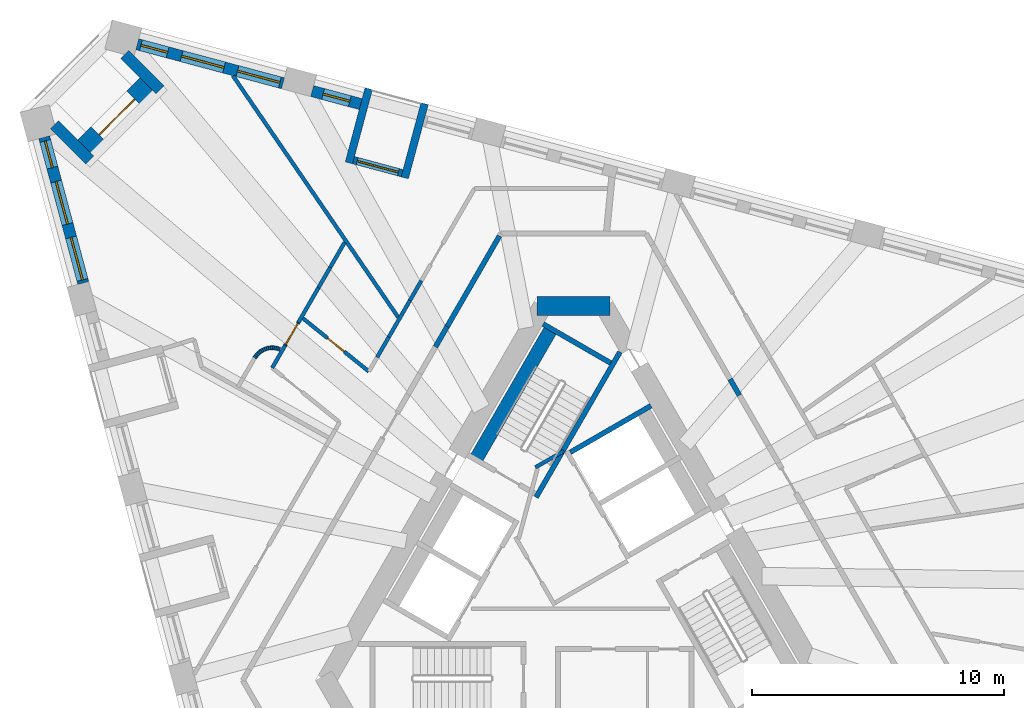
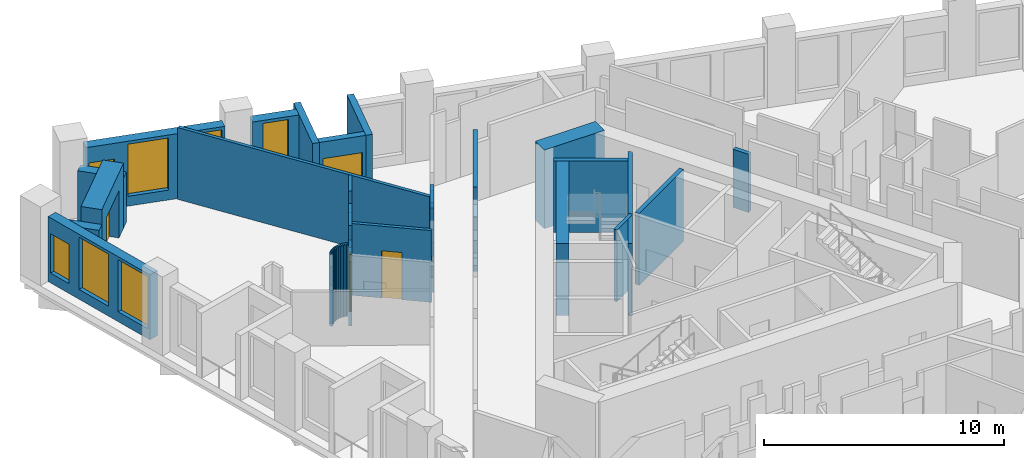
# One storey, part 7 of 13: 43 walls, 7 windows, 4 doors, 11 openings.
"""IFC4 building model written with IfcOpenShell, lengths in metres."""

import ifcopenshell
import ifcopenshell.guid

model = None  # the IFC model being written
_history = None  # IfcOwnerHistory: only IFC2X3 demands one
_inside = {}  # id of a spatial element -> (the spatial element, [elements in it])
_under = {}  # id of a project, library or spatial element -> (it, [spatial elements below it])
_declared = {}  # id of a project -> (the project, [libraries it declares])
_typed = {}  # id of a type object -> (the type object, [elements of that type])
_made_of = {}  # id of a material, layer set ... -> (it, [elements and type objects made of it])


def new_model(schema):
    """Start an empty IFC model of exactly this schema.

    Asked for "IFC4X3", IfcOpenShell would pick the latest addendum, in which some entities
    have other attributes; the version numbers below select the first issue.
    IFC2X3 requires an IfcOwnerHistory on every rooted entity: one is made here for all.
    """
    global model, _history
    if schema == "IFC4X3":
        model = ifcopenshell.file(schema_version=(4, 3, 0, 0))
    else:
        model = ifcopenshell.file(schema=schema)
    _inside.clear()
    _under.clear()
    _declared.clear()
    _typed.clear()
    _made_of.clear()
    _history = None
    if model.schema == "IFC2X3":
        org = make("IfcOrganization", Name="unknown")
        user = make(
            "IfcPersonAndOrganization",
            ThePerson=make("IfcPerson", FamilyName="unknown"),
            TheOrganization=org,
        )
        app = make(
            "IfcApplication",
            ApplicationDeveloper=org,
            Version="unknown",
            ApplicationFullName="unknown",
            ApplicationIdentifier="unknown",
        )
        _history = make(
            "IfcOwnerHistory",
            OwningUser=user,
            OwningApplication=app,
            ChangeAction="ADDED",
            CreationDate=0,
        )
    return model


def make(cls, **values):
    """One entity of the class cls with the attributes given. An attribute that is None is left unset."""
    return model.create_entity(
        cls, **{name: value for name, value in values.items() if value is not None}
    )


def rooted(cls, **values):
    """An entity with a GlobalId (a new one), such as an element, a storey or a relation."""
    return make(cls, GlobalId=ifcopenshell.guid.new(), OwnerHistory=_history, **values)


def si_unit(unit_type, name, prefix=None):
    """IfcSIUnit, for example si_unit("LENGTHUNIT", "METRE", prefix="MILLI")."""
    return make("IfcSIUnit", UnitType=unit_type, Prefix=prefix, Name=name)


def assignment(units):
    """IfcUnitAssignment: the units of a project."""
    return None if units is None else make("IfcUnitAssignment", Units=units)


def point(xyz):
    """IfcCartesianPoint."""
    return None if xyz is None else make("IfcCartesianPoint", Coordinates=xyz)


def direction(xyz):
    """IfcDirection."""
    return None if xyz is None else make("IfcDirection", DirectionRatios=xyz)


def frame(location, z_axis=None, x_axis=None):
    """IfcAxis2Placement3D, a coordinate frame: its origin and axes. An axis left out is left unset."""
    return make(
        "IfcAxis2Placement3D",
        Location=point(location),
        Axis=direction(z_axis),
        RefDirection=direction(x_axis),
    )


def frame_2d(location, x_axis=None):
    """IfcAxis2Placement2D, a coordinate frame in the plane: its origin and x axis."""
    return make(
        "IfcAxis2Placement2D", Location=point(location), RefDirection=direction(x_axis)
    )


def origin():
    """The frame at (0, 0, 0) with its axes left unset."""
    return frame((0.0, 0.0, 0.0))


def place(relative_to, where):
    """IfcLocalPlacement: puts the frame where relative to a parent placement (None: the world)."""
    return make(
        "IfcLocalPlacement", PlacementRelTo=relative_to, RelativePlacement=where
    )


def context(
    kind, dimensions, precision=None, world=None, true_north=None, identifier=None
):
    """IfcGeometricRepresentationContext, for example the 3D "Model" context."""
    return make(
        "IfcGeometricRepresentationContext",
        ContextIdentifier=identifier,
        ContextType=kind,
        CoordinateSpaceDimension=dimensions,
        Precision=precision,
        WorldCoordinateSystem=world,
        TrueNorth=true_north,
    )


def subcontext(parent, identifier, kind, view, scale=None):
    """IfcGeometricRepresentationSubContext, for example "Body" below "Model"."""
    return make(
        "IfcGeometricRepresentationSubContext",
        ContextIdentifier=identifier,
        ContextType=kind,
        ParentContext=parent,
        TargetScale=scale,
        TargetView=view,
    )


def project(units=None, contexts=None):
    """IfcProject with its units and contexts."""
    return rooted(
        "IfcProject",
        Name="project",
        RepresentationContexts=contexts,
        UnitsInContext=assignment(units),
    )


def spatial(cls, under=None, at=None, **own):
    """A site, building, storey or space (cls), placed at a placement, below another one or the project."""
    s = rooted(cls, ObjectPlacement=at, **own)
    if under is not None:
        _under.setdefault(under.id(), (under, []))[1].append(s)
    return s


def profile(cls, at=None, kind="AREA", **sizes):
    """A parametric profile (cls). Its sizes go by their IFC names, for example OverallWidth=200.0."""
    return make(cls, ProfileType=kind, Position=at, **sizes)


def rectangle(**sizes):
    """IfcRectangleProfileDef."""
    return profile("IfcRectangleProfileDef", **sizes)


def extrude(swept, where, along, depth):
    """IfcExtrudedAreaSolid: the profile swept, set in the frame where, extruded along a direction by depth."""
    return make(
        "IfcExtrudedAreaSolid",
        SweptArea=swept,
        Position=where,
        ExtrudedDirection=direction(along),
        Depth=depth,
    )


def shape(context_of_items, identifier, shape_type, items):
    """IfcShapeRepresentation: the items that make up one representation, for example the "Body"."""
    return make(
        "IfcShapeRepresentation",
        ContextOfItems=context_of_items,
        RepresentationIdentifier=identifier,
        RepresentationType=shape_type,
        Items=items,
    )


def material(Name=None, Category=None):
    """IfcMaterial."""
    return make("IfcMaterial", Name=Name, Category=Category)


def layer(
    of_material, thickness, ventilated=None, Name=None, Category=None, Priority=None
):
    """IfcMaterialLayer: one layer of a wall or slab, of a material (None: an air gap)."""
    return make(
        "IfcMaterialLayer",
        Material=of_material,
        LayerThickness=thickness,
        IsVentilated=ventilated,
        Name=Name,
        Category=Category,
        Priority=Priority,
    )


def layer_set(layers, Name=None):
    """IfcMaterialLayerSet."""
    return make("IfcMaterialLayerSet", MaterialLayers=layers, LayerSetName=Name)


def made_of(thing, what):
    """Note that an element or type object is made of a material, layer set ...; save() writes the relation."""
    if what is not None:
        _made_of.setdefault(what.id(), (what, []))[1].append(thing)
    return thing


def type_object(cls, material=None, **own):
    """A type object (cls), such as IfcWallType, which elements share."""
    return made_of(rooted(cls, **own), material)


def element(
    cls,
    number,
    at=None,
    inside=None,
    cuts=None,
    type_object=None,
    material=None,
    context=None,
    identifier="Body",
    shape_type=None,
    held_by="IfcProductDefinitionShape",
    body=None,
    shapes=None,
    **own,
):
    """One element of the class cls, such as IfcWall. Its Tag is "e" and its number.

    at: its placement. inside: the storey or other place that contains it. cuts: it is an
    opening in that element (IfcRelVoidsElement). A single representation is given by context,
    identifier, shape_type and body (its items); several are given by shapes. held_by: the class
    of the entity that holds the representations. save() writes the other relations.
    """
    e = rooted(cls, Tag="e%d" % number, ObjectPlacement=at, **own)
    if body is not None:
        shapes = [shape(context, identifier, shape_type, body)]
    if shapes is not None:
        e.Representation = make(held_by, Representations=shapes)
    if inside is not None:
        _inside.setdefault(inside.id(), (inside, []))[1].append(e)
    if cuts is not None:
        rooted(
            "IfcRelVoidsElement", RelatingBuildingElement=cuts, RelatedOpeningElement=e
        )
    if type_object is not None:
        _typed.setdefault(type_object.id(), (type_object, []))[1].append(e)
    return made_of(e, material)


def fill(opening, filler):
    """IfcRelFillsElement: the door or window that sits in an opening."""
    return rooted(
        "IfcRelFillsElement",
        RelatingOpeningElement=opening,
        RelatedBuildingElement=filler,
    )


def aggregate(whole, parts):
    """IfcRelAggregates: a whole, such as a stair, and the parts it consists of."""
    return rooted("IfcRelAggregates", RelatingObject=whole, RelatedObjects=parts)


def save(model, path):
    """Write the relations noted so far, then the file.

    IfcRelAggregates (storeys below a building ...), IfcRelContainedInSpatialStructure (elements
    in a storey), IfcRelDefinesByType, IfcRelAssociatesMaterial and IfcRelDeclares: one each for
    every whole, place, type object, material and project.
    """
    for whole, parts in _under.values():
        aggregate(whole, parts)
    for where, things in _inside.values():
        rooted(
            "IfcRelContainedInSpatialStructure",
            RelatedElements=things,
            RelatingStructure=where,
        )
    for kind, things in _typed.values():
        rooted("IfcRelDefinesByType", RelatedObjects=things, RelatingType=kind)
    for what, things in _made_of.values():
        rooted("IfcRelAssociatesMaterial", RelatedObjects=things, RelatingMaterial=what)
    for by, libraries in _declared.values():
        rooted("IfcRelDeclares", RelatingContext=by, RelatedDefinitions=libraries)
    model.write(path)


model = new_model("IFC4")

# Units and contexts
model_context = context("Model", 3, precision=1e-05, world=origin(), true_north=direction((0.0, 1.0)))
body_context = subcontext(model_context, "Body", "Model", "MODEL_VIEW")
ifc_project = project(units=[si_unit("LENGTHUNIT", "METRE"), si_unit("AREAUNIT", "SQUARE_METRE"), si_unit("VOLUMEUNIT", "CUBIC_METRE"), si_unit("PLANEANGLEUNIT", "RADIAN"), si_unit("MASSUNIT", "GRAM", prefix="KILO")], contexts=[model_context])

# Site, building, storey
site_placement = place(None, origin())
site = spatial("IfcSite", under=ifc_project, at=site_placement, CompositionType="ELEMENT")
building_placement = place(site_placement, origin())
building = spatial("IfcBuilding", under=site, at=building_placement, Name="Tramontana Tower", CompositionType="ELEMENT")
storey_placement = place(building_placement, frame((0.0, 0.0, 212.0)))
storey = spatial("IfcBuildingStorey", under=building, at=storey_placement, Name="L49", CompositionType="ELEMENT", Elevation=212.0)

# Walls
ifc_material_1 = material(Name="Concrete 70 MPa", Category="concrete")
ifc_layer_1 = layer(ifc_material_1, 0.75)
ifc_layer_set_1 = layer_set([ifc_layer_1], Name="Core wall 750 70 MPa")
wall_type_1 = type_object("IfcWallType", Name="Core wall 750 70 MPa", PredefinedType="SHEAR", material=ifc_layer_set_1)
wall_1_placement = place(storey_placement, frame((1.443359375, 10.625, 0.0), z_axis=(0.0, 0.0, 1.0), x_axis=(-1.0, 0.0, 0.0)))
element("IfcWall", 1, at=wall_1_placement, inside=storey, type_object=wall_type_1, Name="Core wall C0 L49", PredefinedType="SHEAR", context=body_context, shape_type="SweptSolid", body=[
    extrude(rectangle(XDim=2.88671875, YDim=0.75, at=frame_2d((1.443359375, 0.0))), origin(), (0.0, 0.0, 1.0), 4.0),
])
ifc_material_2 = material(Name="Blockwork", Category="masonry")
ifc_layer_2 = layer(ifc_material_2, 0.199951171875)
ifc_layer_set_2 = layer_set([ifc_layer_2], Name="ENTRY WALL 200")
wall_type_2 = type_object("IfcWallType", Name="ENTRY WALL 200", PredefinedType="SOLIDWALL", material=ifc_layer_set_2)
wall_2_placement = place(storey_placement, frame((6.22412109375, 7.719482421875, 0.0), z_axis=(0.0, 0.0, 1.0), x_axis=(0.499931655587, -0.866064858854, 0.0)))
element("IfcWall", 2, at=wall_2_placement, inside=storey, type_object=wall_type_2, Name="Wall v51-ew0-3", PredefinedType="SOLIDWALL", context=body_context, shape_type="SweptSolid", body=[
    extrude(rectangle(XDim=0.74072265625, YDim=0.199951171875, at=frame_2d((0.370361328125, 0.0))), origin(), (0.0, 0.0, 1.0), 2.949951171875),
])
wall_3_placement = place(storey_placement, frame((-5.482666015625, 9.003662109375, 0.0), z_axis=(0.0, 0.0, 1.0), x_axis=(0.499971966783, 0.866041588165, 0.0)))
element("IfcWall", 3, at=wall_3_placement, inside=storey, type_object=wall_type_2, Name="Wall v51-ew4-11", PredefinedType="SOLIDWALL", context=body_context, shape_type="SweptSolid", body=[
    extrude(rectangle(XDim=0.931640625, YDim=0.199951171875, at=frame_2d((0.4658203125, 0.0))), origin(), (0.0, 0.0, 1.0), 2.75),
])
wall_4_placement = place(storey_placement, frame((-5.016845703125, 9.810546875, 0.0), z_axis=(0.0, 0.0, 1.0), x_axis=(0.499993700073, 0.866029041019, 0.0)))
element("IfcWall", 4, at=wall_4_placement, inside=storey, type_object=wall_type_2, Name="Wall v51-ew4-12", PredefinedType="SOLIDWALL", context=body_context, shape_type="SweptSolid", body=[
    extrude(rectangle(XDim=4.1552734375, YDim=0.199951171875, at=frame_2d((2.07763671875, 0.0))), origin(), (0.0, 0.0, 1.0), 3.64990234375),
])

# Wall, openings, windows
ifc_material_3 = material(Name="Precast concrete 60 MPa", Category="concrete")
ifc_layer_3 = layer(ifc_material_3, 0.449951171875)
ifc_layer_set_3 = layer_set([ifc_layer_3], Name="Precast concrete 60 MPa, 450 mm")
wall_type_3 = type_object("IfcWallType", Name="EW1 Stone-faced precast wall 450", PredefinedType="SOLIDWALL", material=ifc_layer_set_3)
wall_5_placement = place(storey_placement, frame((-21.027099609375, 17.3310546875, 0.0), z_axis=(0.0, 0.0, 1.0), x_axis=(0.258831089404, -0.965922598948, 0.0)))
wall_5 = element("IfcWall", 5, at=wall_5_placement, inside=storey, type_object=wall_type_3, Name="External wall L49 face 0 bay 1", PredefinedType="SOLIDWALL", context=body_context, shape_type="SweptSolid", body=[
    extrude(rectangle(XDim=5.994384765625, YDim=0.449951171875, at=frame_2d((2.9970703125, 0.0))), origin(), (0.0, 0.0, 1.0), 3.300048828125),
])
opening_1_placement = place(wall_5_placement, frame((0.14892578125, 0.0, 0.5)))
opening_1 = element("IfcOpeningElement", 6, at=opening_1_placement, cuts=wall_5, Name="Opening N2L", PredefinedType="OPENING", context=body_context, shape_type="SweptSolid", body=[
    extrude(rectangle(XDim=1.10009765625, YDim=2.0, at=frame_2d((0.550048828125, 1.0))), frame((0.0, 0.23486328125, 0.0), z_axis=(0.0, -1.0, 0.0), x_axis=(1.0, 0.0, 0.0)), (0.0, 0.0, 1.0), 0.469970703125),
])
opening_2_placement = place(wall_5_placement, frame((1.822021484375, 0.0, 0.5)))
opening_2 = element("IfcOpeningElement", 7, at=opening_2_placement, cuts=wall_5, Name="Opening M2", PredefinedType="OPENING", context=body_context, shape_type="SweptSolid", body=[
    extrude(rectangle(XDim=1.75, YDim=2.64990234375, at=frame_2d((0.875, 1.324951171875))), frame((0.0, 0.23486328125, 0.0), z_axis=(0.0, -1.0, 0.0), x_axis=(1.0, 0.0, 0.0)), (0.0, 0.0, 1.0), 0.469970703125),
])
opening_3_placement = place(wall_5_placement, frame((4.1201171875, 0.0, 0.5)))
opening_3 = element("IfcOpeningElement", 8, at=opening_3_placement, cuts=wall_5, Name="Opening M2", PredefinedType="OPENING", context=body_context, shape_type="SweptSolid", body=[
    extrude(rectangle(XDim=1.75, YDim=2.64990234375, at=frame_2d((0.875, 1.324951171875))), frame((0.0, 0.23486328125, 0.0), z_axis=(0.0, -1.0, 0.0), x_axis=(1.0, 0.0, 0.0)), (0.0, 0.0, 1.0), 0.469970703125),
])
ifc_material_4 = material(Name="Aluminum frame, double glazing unit", Category="aluminium")
window_type_1 = type_object("IfcWindowType", Name="M2 Window 1.75 x 2.65", PartitioningType="SINGLE_PANEL", PredefinedType="WINDOW", material=ifc_material_4)
window_1_placement = place(opening_2_placement, origin())
window_1 = element("IfcWindow", 9, at=window_1_placement, inside=storey, type_object=window_type_1, Name="Window M2 L49 face 0 module 2", OverallHeight=2.64990234375, OverallWidth=1.75, PartitioningType="SINGLE_PANEL", PredefinedType="WINDOW", context=body_context, shape_type="SweptSolid", body=[
    extrude(rectangle(XDim=1.75, YDim=2.64990234375, at=frame_2d((0.875, 1.324951171875))), frame((0.0, 0.030029296875, 0.0), z_axis=(0.0, -1.0, 0.0), x_axis=(1.0, 0.0, 0.0)), (0.0, 0.0, 1.0), 0.06005859375),
])
fill(opening_2, window_1)
window_2_placement = place(opening_3_placement, origin())
window_2 = element("IfcWindow", 10, at=window_2_placement, inside=storey, type_object=window_type_1, Name="Window M2 L49 face 0 module 3", OverallHeight=2.64990234375, OverallWidth=1.75, PartitioningType="SINGLE_PANEL", PredefinedType="WINDOW", context=body_context, shape_type="SweptSolid", body=[
    extrude(rectangle(XDim=1.75, YDim=2.64990234375, at=frame_2d((0.875, 1.324951171875))), frame((0.0, 0.030029296875, 0.0), z_axis=(0.0, -1.0, 0.0), x_axis=(1.0, 0.0, 0.0)), (0.0, 0.0, 1.0), 0.06005859375),
])
fill(opening_3, window_2)
ifc_material_5 = material(Name="Aluminum frame, double glazing unit", Category="aluminium")
window_type_2 = type_object("IfcWindowType", Name="N2L Window 1.1 x 2", PartitioningType="SINGLE_PANEL", PredefinedType="WINDOW", material=ifc_material_5)
window_3_placement = place(opening_1_placement, origin())
window_3 = element("IfcWindow", 11, at=window_3_placement, inside=storey, type_object=window_type_2, Name="Window N2L L49 face 0 module 1", OverallHeight=2.0, OverallWidth=1.10009765625, PartitioningType="SINGLE_PANEL", PredefinedType="WINDOW", context=body_context, shape_type="SweptSolid", body=[
    extrude(rectangle(XDim=1.10009765625, YDim=2.0, at=frame_2d((0.550048828125, 1.0))), frame((0.0, 0.030029296875, 0.0), z_axis=(0.0, -1.0, 0.0), x_axis=(1.0, 0.0, 0.0)), (0.0, 0.0, 1.0), 0.06005859375),
])
fill(opening_1, window_3)

# Wall, opening, window
wall_6_placement = place(storey_placement, frame((-8.451904296875, 18.64794921875, 0.0), z_axis=(0.0, 0.0, 1.0), x_axis=(-0.96593005298, 0.258803270362, 0.0)))
wall_6 = element("IfcWall", 12, at=wall_6_placement, inside=storey, type_object=wall_type_3, Name="External wall L49 face 2 bay 5", PredefinedType="SOLIDWALL", context=body_context, shape_type="SweptSolid", body=[
    extrude(rectangle(XDim=1.998046875, YDim=0.449951171875, at=frame_2d((0.9990234375, 0.0))), origin(), (0.0, 0.0, 1.0), 3.300048828125),
])
opening_4_placement = place(wall_6_placement, frame((0.448974609375, 0.0, 0.5)))
opening_4 = element("IfcOpeningElement", 13, at=opening_4_placement, cuts=wall_6, Name="Opening N2", PredefinedType="OPENING", context=body_context, shape_type="SweptSolid", body=[
    extrude(rectangle(XDim=1.10009765625, YDim=2.64990234375, at=frame_2d((0.550048828125, 1.324951171875))), frame((0.0, 0.23486328125, 0.0), z_axis=(0.0, -1.0, 0.0), x_axis=(1.0, 0.0, 0.0)), (0.0, 0.0, 1.0), 0.469970703125),
])
ifc_material_6 = material(Name="Aluminum frame, double glazing unit", Category="aluminium")
window_type_3 = type_object("IfcWindowType", Name="N2 Window 1.1 x 2.65", PartitioningType="SINGLE_PANEL", PredefinedType="WINDOW", material=ifc_material_6)
window_4_placement = place(opening_4_placement, origin())
window_4 = element("IfcWindow", 14, at=window_4_placement, inside=storey, type_object=window_type_3, Name="Window N2 L49 face 2 module 15", OverallHeight=2.64990234375, OverallWidth=1.10009765625, PartitioningType="SINGLE_PANEL", PredefinedType="WINDOW", context=body_context, shape_type="SweptSolid", body=[
    extrude(rectangle(XDim=1.10009765625, YDim=2.64990234375, at=frame_2d((0.550048828125, 1.324951171875))), frame((0.0, 0.030029296875, 0.0), z_axis=(0.0, -1.0, 0.0), x_axis=(1.0, 0.0, 0.0)), (0.0, 0.0, 1.0), 0.06005859375),
])
fill(opening_4, window_4)

# Wall, openings, windows
wall_7_placement = place(storey_placement, frame((-11.541015625, 19.4755859375, 0.0), z_axis=(0.0, 0.0, 1.0), x_axis=(-0.965922598948, 0.258831089404, 0.0)))
wall_7 = element("IfcWall", 15, at=wall_7_placement, inside=storey, type_object=wall_type_3, Name="External wall L49 face 2 bay 6", PredefinedType="SOLIDWALL", context=body_context, shape_type="SweptSolid", body=[
    extrude(rectangle(XDim=5.994384765625, YDim=0.449951171875, at=frame_2d((2.9970703125, 0.0))), origin(), (0.0, 0.0, 1.0), 3.300048828125),
])
opening_5_placement = place(wall_7_placement, frame((0.1240234375, 0.0, 0.5)))
opening_5 = element("IfcOpeningElement", 16, at=opening_5_placement, cuts=wall_7, Name="Opening M2", PredefinedType="OPENING", context=body_context, shape_type="SweptSolid", body=[
    extrude(rectangle(XDim=1.75, YDim=2.64990234375, at=frame_2d((0.875, 1.324951171875))), frame((0.0, 0.23486328125, 0.0), z_axis=(0.0, -1.0, 0.0), x_axis=(1.0, 0.0, 0.0)), (0.0, 0.0, 1.0), 0.469970703125),
])
opening_6_placement = place(wall_7_placement, frame((2.422119140625, 0.0, 0.5)))
opening_6 = element("IfcOpeningElement", 17, at=opening_6_placement, cuts=wall_7, Name="Opening M2", PredefinedType="OPENING", context=body_context, shape_type="SweptSolid", body=[
    extrude(rectangle(XDim=1.75, YDim=2.64990234375, at=frame_2d((0.875, 1.324951171875))), frame((0.0, 0.23486328125, 0.0), z_axis=(0.0, -1.0, 0.0), x_axis=(1.0, 0.0, 0.0)), (0.0, 0.0, 1.0), 0.469970703125),
])
opening_7_placement = place(wall_7_placement, frame((4.7451171875, 0.0, 0.5)))
opening_7 = element("IfcOpeningElement", 18, at=opening_7_placement, cuts=wall_7, Name="Opening N2L", PredefinedType="OPENING", context=body_context, shape_type="SweptSolid", body=[
    extrude(rectangle(XDim=1.10009765625, YDim=2.0, at=frame_2d((0.550048828125, 1.0))), frame((0.0, 0.23486328125, 0.0), z_axis=(0.0, -1.0, 0.0), x_axis=(1.0, 0.0, 0.0)), (0.0, 0.0, 1.0), 0.469970703125),
])
window_5_placement = place(opening_5_placement, origin())
window_5 = element("IfcWindow", 19, at=window_5_placement, inside=storey, type_object=window_type_1, Name="Window M2 L49 face 2 module 16", OverallHeight=2.64990234375, OverallWidth=1.75, PartitioningType="SINGLE_PANEL", PredefinedType="WINDOW", context=body_context, shape_type="SweptSolid", body=[
    extrude(rectangle(XDim=1.75, YDim=2.64990234375, at=frame_2d((0.875, 1.324951171875))), frame((0.0, 0.030029296875, 0.0), z_axis=(0.0, -1.0, 0.0), x_axis=(1.0, 0.0, 0.0)), (0.0, 0.0, 1.0), 0.06005859375),
])
fill(opening_5, window_5)
window_6_placement = place(opening_6_placement, origin())
window_6 = element("IfcWindow", 20, at=window_6_placement, inside=storey, type_object=window_type_1, Name="Window M2 L49 face 2 module 17", OverallHeight=2.64990234375, OverallWidth=1.75, PartitioningType="SINGLE_PANEL", PredefinedType="WINDOW", context=body_context, shape_type="SweptSolid", body=[
    extrude(rectangle(XDim=1.75, YDim=2.64990234375, at=frame_2d((0.875, 1.324951171875))), frame((0.0, 0.030029296875, 0.0), z_axis=(0.0, -1.0, 0.0), x_axis=(1.0, 0.0, 0.0)), (0.0, 0.0, 1.0), 0.06005859375),
])
fill(opening_6, window_6)
window_7_placement = place(opening_7_placement, origin())
window_7 = element("IfcWindow", 21, at=window_7_placement, inside=storey, type_object=window_type_2, Name="Window N2L L49 face 2 module 18", OverallHeight=2.0, OverallWidth=1.10009765625, PartitioningType="SINGLE_PANEL", PredefinedType="WINDOW", context=body_context, shape_type="SweptSolid", body=[
    extrude(rectangle(XDim=1.10009765625, YDim=2.0, at=frame_2d((0.550048828125, 1.0))), frame((0.0, 0.030029296875, 0.0), z_axis=(0.0, -1.0, 0.0), x_axis=(1.0, 0.0, 0.0)), (0.0, 0.0, 1.0), 0.06005859375),
])
fill(opening_7, window_7)

# Walls
for number, where, z_axis, x_axis, name in (
    (22, (-20.615234375, 17.822021484375, 0.0), (0.0, 0.0, 1.0), (0.70716845375, -0.707045103244, 0.0), "Corner loggia side wall L49 K50l"),
    (23, (-17.822021484375, 20.615234375, 0.0), (0.0, 0.0, 1.0), (0.707045103244, -0.70716845375, 0.0), "Corner loggia side wall L49 K50r"),
):
    element("IfcWall", number, at=place(storey_placement, frame(where, z_axis=z_axis, x_axis=x_axis)), inside=storey, type_object=wall_type_3, Name=name, PredefinedType="SOLIDWALL", context=body_context, shape_type="SweptSolid", body=[
        extrude(rectangle(XDim=1.979248046875, YDim=0.449951171875, at=frame_2d((0.98974609375, 0.0))), origin(), (0.0, 0.0, 1.0), 2.550048828125),
    ])

# Wall, opening, door
ifc_material_7 = material(Name="Precast concrete 60 MPa", Category="concrete")
ifc_layer_4 = layer(ifc_material_7, 0.89990234375)
ifc_layer_set_4 = layer_set([ifc_layer_4], Name="EW2 Stone-faced corner loggia wall 900")
wall_type_4 = type_object("IfcWallType", Name="EW2 Stone-faced corner loggia wall 900", PredefinedType="SOLIDWALL", material=ifc_layer_set_4)
wall_8_placement = place(storey_placement, frame((-19.374755859375, 16.89990234375, 0.0), z_axis=(0.0, 0.0, 1.0), x_axis=(0.707106781187, 0.707106781187, 0.0)))
wall_8 = element("IfcWall", 24, at=wall_8_placement, inside=storey, type_object=wall_type_4, Name="Corner loggia wall L49 K50", PredefinedType="SOLIDWALL", context=body_context, shape_type="SweptSolid", body=[
    extrude(rectangle(XDim=3.5, YDim=0.89990234375, at=frame_2d((1.75, 0.0))), origin(), (0.0, 0.0, 1.0), 3.300048828125),
])
opening_8_placement = place(wall_8_placement, frame((0.75, 0.0, 0.0)))
opening_8 = element("IfcOpeningElement", 25, at=opening_8_placement, cuts=wall_8, Name="Opening BD-50C", PredefinedType="OPENING", context=body_context, shape_type="SweptSolid", body=[
    extrude(rectangle(XDim=2.0, YDim=2.39990234375, at=frame_2d((1.0, 1.199951171875))), frame((0.0, 0.4599609375, 0.0), z_axis=(0.0, -1.0, 0.0), x_axis=(1.0, 0.0, 0.0)), (0.0, 0.0, 1.0), 0.919921875),
])
ifc_material_8 = material(Name="Aluminum frame, double glazing unit", Category="aluminium")
door_type_1 = type_object("IfcDoorType", Name="BC1 Sliding door 2 x 2.4", OperationType="SLIDING_TO_LEFT", PredefinedType="DOOR", material=ifc_material_8)
door_1_placement = place(opening_8_placement, origin())
door_1 = element("IfcDoor", 26, at=door_1_placement, inside=storey, type_object=door_type_1, Name="Corner loggia door L49 K50", OperationType="SLIDING_TO_LEFT", OverallHeight=2.39990234375, OverallWidth=2.0, PredefinedType="DOOR", context=body_context, shape_type="SweptSolid", body=[
    extrude(rectangle(XDim=2.0, YDim=2.39990234375, at=frame_2d((1.0, 1.199951171875))), frame((0.0, 0.02490234375, 0.0), z_axis=(0.0, -1.0, 0.0), x_axis=(1.0, 0.0, 0.0)), (0.0, 0.0, 1.0), 0.050048828125),
])
fill(opening_8, door_1)

ifc_material_9 = material(Name="Precast concrete 60 MPa", Category="concrete")
ifc_layer_5 = layer(ifc_material_9, 0.300048828125)
ifc_layer_set_5 = layer_set([ifc_layer_5], Name="LW1 Stone-faced loggia wall 300")
wall_type_5 = type_object("IfcWallType", Name="LW1 Stone-faced loggia wall 300", PredefinedType="SOLIDWALL", material=ifc_layer_set_5)
wall_9_placement = place(storey_placement, frame((-6.80810546875, 15.904052734375, 0.0), z_axis=(0.0, 0.0, 1.0), x_axis=(-0.96593005298, 0.258803270362, 0.0)))
wall_9 = element("IfcWall", 27, at=wall_9_placement, inside=storey, type_object=wall_type_5, Name="Loggia wall L49 G5S2.13", PredefinedType="SOLIDWALL", context=body_context, shape_type="SweptSolid", body=[
    extrude(rectangle(XDim=1.998046875, YDim=0.300048828125, at=frame_2d((0.9990234375, 0.0))), origin(), (0.0, 0.0, 1.0), 3.300048828125),
])
opening_9_placement = place(wall_9_placement, frame((0.14892578125, 0.0, 0.0)))
opening_9 = element("IfcOpeningElement", 28, at=opening_9_placement, cuts=wall_9, Name="Opening BD-5S2-13", PredefinedType="OPENING", context=body_context, shape_type="SweptSolid", body=[
    extrude(rectangle(XDim=1.699951171875, YDim=2.449951171875, at=frame_2d((0.85009765625, 1.22509765625))), frame((0.0, 0.159912109375, 0.0), z_axis=(0.0, -1.0, 0.0), x_axis=(1.0, 0.0, 0.0)), (0.0, 0.0, 1.0), 0.320068359375),
])
ifc_material_10 = material(Name="Aluminum frame, double glazing unit", Category="aluminium")
door_type_2 = type_object("IfcDoorType", Name="BD2 Sliding door 1.7 x 2.45", OperationType="SLIDING_TO_LEFT", PredefinedType="DOOR", material=ifc_material_10)
door_2_placement = place(opening_9_placement, origin())
door_2 = element("IfcDoor", 29, at=door_2_placement, inside=storey, type_object=door_type_2, Name="Loggia door L49 G5S2.13", OperationType="SLIDING_TO_LEFT", OverallHeight=2.449951171875, OverallWidth=1.699951171875, PredefinedType="DOOR", context=body_context, shape_type="SweptSolid", body=[
    extrude(rectangle(XDim=1.699951171875, YDim=2.449951171875, at=frame_2d((0.85009765625, 1.22509765625))), frame((0.0, 0.02490234375, 0.0), z_axis=(0.0, -1.0, 0.0), x_axis=(1.0, 0.0, 0.0)), (0.0, 0.0, 1.0), 0.050048828125),
])
fill(opening_9, door_2)

# Walls
wall_10_placement = place(storey_placement, frame((-5.91259765625, 18.666259765625, 0.0), z_axis=(0.0, 0.0, 1.0), x_axis=(-0.258793435045, -0.965932688119, 0.0)))
element("IfcWall", 30, at=wall_10_placement, inside=storey, type_object=wall_type_5, Name="Loggia return L49 G5S2.13a", PredefinedType="SOLIDWALL", context=body_context, shape_type="SweptSolid", body=[
    extrude(rectangle(XDim=3.050048828125, YDim=0.300048828125, at=frame_2d((1.52490234375, 0.0))), origin(), (0.0, 0.0, 1.0), 3.300048828125),
])
wall_11_placement = place(storey_placement, frame((-8.13232421875, 19.26123046875, 0.0), z_axis=(0.0, 0.0, 1.0), x_axis=(-0.25877342651, -0.9659380486, 0.0)))
element("IfcWall", 31, at=wall_11_placement, inside=storey, type_object=wall_type_5, Name="Loggia return L49 G5S2.13b", PredefinedType="SOLIDWALL", context=body_context, shape_type="SweptSolid", body=[
    extrude(rectangle(XDim=3.05029296875, YDim=0.300048828125, at=frame_2d((1.525146484375, 0.0))), origin(), (0.0, 0.0, 1.0), 3.300048828125),
])
ifc_material_11 = material(Name="Gypsum board partition")
ifc_layer_6 = layer(ifc_material_11, 0.14990234375)
ifc_layer_set_6 = layer_set([ifc_layer_6], Name="PARTITION 150")
wall_type_6 = type_object("IfcWallType", Name="PARTITION 150", PredefinedType="PARTITIONING", material=ifc_layer_set_6)
wall_12_placement = place(storey_placement, frame((-1.509765625, 4.21484375, 0.0), z_axis=(0.0, 0.0, 1.0), x_axis=(0.866085525409, 0.49989585183, 0.0)))
element("IfcWall", 32, at=wall_12_placement, inside=storey, type_object=wall_type_6, Name="Wall ff-end1", PredefinedType="PARTITIONING", context=body_context, shape_type="SweptSolid", body=[
    extrude(rectangle(XDim=1.300048828125, YDim=0.14990234375, at=frame_2d((0.64990234375, 0.0))), origin(), (0.0, 0.0, 1.0), 3.64990234375),
])
wall_13_placement = place(storey_placement, frame((-13.529296875, 19.775390625, 0.0), z_axis=(0.0, 0.0, 1.0), x_axis=(0.564646262408, -0.825333022694, 0.0)))
element("IfcWall", 33, at=wall_13_placement, inside=storey, type_object=wall_type_6, Name="Wall v51-pw04", PredefinedType="PARTITIONING", context=body_context, shape_type="SweptSolid", body=[
    extrude(rectangle(XDim=11.622314453125, YDim=0.14990234375, at=frame_2d((5.81103515625, 0.0))), origin(), (0.0, 0.0, 1.0), 3.64990234375),
])
for number, where, z_axis, x_axis, name in (
    (34, (-12.6630859375, 8.567138671875, 0.0), (0.0, 0.0, 1.0), (0.542854007109, 0.839827081586, 0.0), "Wall v51-pw06"),
    (35, (-12.62158203125, 8.631591796875, 0.0), (0.0, 0.0, 1.0), (0.619230234747, 0.785209472927, 0.0), "Wall v51-pw07"),
    (36, (-12.573974609375, 8.69189453125, 0.0), (0.0, 0.0, 1.0), (0.690932080847, 0.722919677182, 0.0), "Wall v51-pw08"),
    (37, (-12.52099609375, 8.7470703125, 0.0), (0.0, 0.0, 1.0), (0.7563204967, 0.654201273517, 0.0), "Wall v51-pw09"),
):
    element("IfcWall", number, at=place(storey_placement, frame(where, z_axis=z_axis, x_axis=x_axis)), inside=storey, type_object=wall_type_6, Name=name, PredefinedType="PARTITIONING", context=body_context, shape_type="SweptSolid", body=[
        extrude(rectangle(XDim=0.076416015625, YDim=0.14990234375, at=frame_2d((0.0380859375, 0.0))), origin(), (0.0, 0.0, 1.0), 3.64990234375),
    ])
wall_14_placement = place(storey_placement, frame((-12.462890625, 8.79736328125, 0.0), z_axis=(0.0, 0.0, 1.0), x_axis=(0.816967863265, 0.576683197599, 0.0)))
element("IfcWall", 38, at=wall_14_placement, inside=storey, type_object=wall_type_6, Name="Wall v51-pw10", PredefinedType="PARTITIONING", context=body_context, shape_type="SweptSolid", body=[
    extrude(rectangle(XDim=0.076171875, YDim=0.14990234375, at=frame_2d((0.0380859375, 0.0))), origin(), (0.0, 0.0, 1.0), 3.64990234375),
])
wall_15_placement = place(storey_placement, frame((-12.400390625, 8.841552734375, 0.0), z_axis=(0.0, 0.0, 1.0), x_axis=(0.868832233958, 0.49510660391, 0.0)))
element("IfcWall", 39, at=wall_15_placement, inside=storey, type_object=wall_type_6, Name="Wall v51-pw11", PredefinedType="PARTITIONING", context=body_context, shape_type="SweptSolid", body=[
    extrude(rectangle(XDim=0.076416015625, YDim=0.14990234375, at=frame_2d((0.0380859375, 0.0))), origin(), (0.0, 0.0, 1.0), 3.64990234375),
])
wall_16_placement = place(storey_placement, frame((-12.333984375, 8.879638671875, 0.0), z_axis=(0.0, 0.0, 1.0), x_axis=(0.91156333447, 0.411159685827, 0.0)))
element("IfcWall", 40, at=wall_16_placement, inside=storey, type_object=wall_type_6, Name="Wall v51-pw12", PredefinedType="PARTITIONING", context=body_context, shape_type="SweptSolid", body=[
    extrude(rectangle(XDim=0.07666015625, YDim=0.14990234375, at=frame_2d((0.038330078125, 0.0))), origin(), (0.0, 0.0, 1.0), 3.64990234375),
])
for number, where, z_axis, x_axis, name in (
    (41, (-12.263916015625, 8.9111328125, 0.0), (0.0, 0.0, 1.0), (0.946421377636, 0.322934321423, 0.0), "Wall v51-pw13"),
    (42, (-12.19140625, 8.935791015625, 0.0), (0.0, 0.0, 1.0), (0.973249512577, 0.229750704608, 0.0), "Wall v51-pw14"),
):
    element("IfcWall", number, at=place(storey_placement, frame(where, z_axis=z_axis, x_axis=x_axis)), inside=storey, type_object=wall_type_6, Name=name, PredefinedType="PARTITIONING", context=body_context, shape_type="SweptSolid", body=[
        extrude(rectangle(XDim=0.076416015625, YDim=0.14990234375, at=frame_2d((0.0380859375, 0.0))), origin(), (0.0, 0.0, 1.0), 3.64990234375),
    ])
wall_17_placement = place(storey_placement, frame((-12.116943359375, 8.953369140625, 0.0), z_axis=(0.0, 0.0, 1.0), x_axis=(0.990576477172, 0.136960734786, 0.0)))
element("IfcWall", 43, at=wall_17_placement, inside=storey, type_object=wall_type_6, Name="Wall v51-pw15", PredefinedType="PARTITIONING", context=body_context, shape_type="SweptSolid", body=[
    extrude(rectangle(XDim=0.07666015625, YDim=0.14990234375, at=frame_2d((0.038330078125, 0.0))), origin(), (0.0, 0.0, 1.0), 3.64990234375),
])
wall_18_placement = place(storey_placement, frame((-12.041015625, 8.9638671875, 0.0), z_axis=(0.0, 0.0, 1.0), x_axis=(0.999138596568, 0.041497769187, 0.0)))
element("IfcWall", 44, at=wall_18_placement, inside=storey, type_object=wall_type_6, Name="Wall v51-pw16", PredefinedType="PARTITIONING", context=body_context, shape_type="SweptSolid", body=[
    extrude(rectangle(XDim=0.076416015625, YDim=0.14990234375, at=frame_2d((0.0380859375, 0.0))), origin(), (0.0, 0.0, 1.0), 3.64990234375),
])
wall_19_placement = place(storey_placement, frame((-11.97021484375, 8.167236328125, 0.0), z_axis=(0.0, 0.0, 1.0), x_axis=(0.500089298231, 0.865973841288, 0.0)))
element("IfcWall", 45, at=wall_19_placement, inside=storey, type_object=wall_type_6, Name="Wall v51-pw17-0", PredefinedType="PARTITIONING", context=body_context, shape_type="SweptSolid", body=[
    extrude(rectangle(XDim=1.036865234375, YDim=0.14990234375, at=frame_2d((0.5185546875, 0.0))), origin(), (0.0, 0.0, 1.0), 3.64990234375),
])

# Wall, opening, door
wall_20_placement = place(storey_placement, frame((-11.45166015625, 9.065185546875, 0.0), z_axis=(0.0, 0.0, 1.0), x_axis=(0.499990860175, 0.866030680601, 0.0)))
wall_20 = element("IfcWall", 46, at=wall_20_placement, inside=storey, type_object=wall_type_6, Name="Wall v51-pw17-1", PredefinedType="PARTITIONING", context=body_context, shape_type="SweptSolid", body=[
    extrude(rectangle(XDim=1.0498046875, YDim=0.14990234375, at=frame_2d((0.52490234375, 0.0))), origin(), (0.0, 0.0, 1.0), 2.550048828125),
])
opening_10_placement = place(wall_20_placement, frame((0.050048828125, 0.0, 0.0)))
opening_10 = element("IfcOpeningElement", 47, at=opening_10_placement, cuts=wall_20, Name="Opening B5B-03", PredefinedType="OPENING", context=body_context, shape_type="SweptSolid", body=[
    extrude(rectangle(XDim=0.949951171875, YDim=2.39990234375, at=frame_2d((0.47509765625, 1.199951171875))), frame((0.0, 0.0849609375, 0.0), z_axis=(0.0, -1.0, 0.0), x_axis=(1.0, 0.0, 0.0)), (0.0, 0.0, 1.0), 0.169921875),
])
ifc_material_12 = material(Name="Painted timber", Category="wood")
door_type_3 = type_object("IfcDoorType", Name="DOOR ROOM 950", OperationType="SINGLE_SWING_LEFT", PredefinedType="DOOR", material=ifc_material_12)
door_3_placement = place(opening_10_placement, origin())
door_3 = element("IfcDoor", 48, at=door_3_placement, inside=storey, type_object=door_type_3, Name="Door B5B-03", OperationType="SINGLE_SWING_LEFT", OverallHeight=2.39990234375, OverallWidth=0.949951171875, PredefinedType="DOOR", context=body_context, shape_type="SweptSolid", body=[
    extrude(rectangle(XDim=0.949951171875, YDim=2.39990234375, at=frame_2d((0.47509765625, 1.199951171875))), frame((0.0, 0.02490234375, 0.0), z_axis=(0.0, -1.0, 0.0), x_axis=(1.0, 0.0, 0.0)), (0.0, 0.0, 1.0), 0.050048828125),
])
fill(opening_10, door_3)

# Walls
wall_21_placement = place(storey_placement, frame((-10.9267578125, 9.974365234375, 0.0), z_axis=(0.0, 0.0, 1.0), x_axis=(0.500075994846, 0.865981523694, 0.0)))
element("IfcWall", 49, at=wall_21_placement, inside=storey, type_object=wall_type_6, Name="Wall v51-pw17-2", PredefinedType="PARTITIONING", context=body_context, shape_type="SweptSolid", body=[
    extrude(rectangle(XDim=1.593994140625, YDim=0.14990234375, at=frame_2d((0.796875, 0.0))), origin(), (0.0, 0.0, 1.0), 3.64990234375),
])
wall_22_placement = place(storey_placement, frame((-10.129638671875, 11.354736328125, 0.0), z_axis=(0.0, 0.0, 1.0), x_axis=(0.500032811619, 0.866006459158, 0.0)))
element("IfcWall", 50, at=wall_22_placement, inside=storey, type_object=wall_type_6, Name="Wall v51-pw17-3", PredefinedType="PARTITIONING", context=body_context, shape_type="SweptSolid", body=[
    extrude(rectangle(XDim=0.9306640625, YDim=0.14990234375, at=frame_2d((0.46533203125, 0.0))), origin(), (0.0, 0.0, 1.0), 2.550048828125),
])
wall_23_placement = place(storey_placement, frame((-9.664306640625, 12.16064453125, 0.0), z_axis=(0.0, 0.0, 1.0), x_axis=(0.499937302424, 0.866061599221, 0.0)))
element("IfcWall", 51, at=wall_23_placement, inside=storey, type_object=wall_type_6, Name="Wall v51-pw17-4", PredefinedType="PARTITIONING", context=body_context, shape_type="SweptSolid", body=[
    extrude(rectangle(XDim=1.147705078125, YDim=0.14990234375, at=frame_2d((0.57373046875, 0.0))), origin(), (0.0, 0.0, 1.0), 3.64990234375),
])
for number, where, z_axis, x_axis, name in (
    (52, (-11.96435546875, 8.967041015625, 0.0), (0.0, 0.0, 1.0), (0.998528298879, -0.054233166393, 0.0), "Wall v51-pw18"),
    (53, (-11.8876953125, 8.962890625, 0.0), (0.0, 0.0, 1.0), (0.988629179635, -0.150374017614, 0.0), "Wall v51-pw19"),
    (54, (-11.81201171875, 8.951171875, 0.0), (0.0, 0.0, 1.0), (0.970142500145, -0.242535625036, 0.0), "Wall v51-pw20"),
    (55, (-11.737548828125, 8.9326171875, 0.0), (0.0, 0.0, 1.0), (0.940724143064, -0.33917265022, 0.0), "Wall v51-pw21"),
):
    element("IfcWall", number, at=place(storey_placement, frame(where, z_axis=z_axis, x_axis=x_axis)), inside=storey, type_object=wall_type_6, Name=name, PredefinedType="PARTITIONING", context=body_context, shape_type="SweptSolid", body=[
        extrude(rectangle(XDim=0.076416015625, YDim=0.14990234375, at=frame_2d((0.0380859375, 0.0))), origin(), (0.0, 0.0, 1.0), 3.64990234375),
    ])

# Wall, opening, door
wall_24_placement = place(storey_placement, frame((-10.7470703125, 10.13525390625, 0.0), z_axis=(0.0, 0.0, 1.0), x_axis=(0.778724340169, -0.627366242341, 0.0)))
wall_24 = element("IfcWall", 56, at=wall_24_placement, inside=storey, type_object=wall_type_6, Name="Wall v51-pw25", PredefinedType="PARTITIONING", context=body_context, shape_type="SweptSolid", body=[
    extrude(rectangle(XDim=3.361572265625, YDim=0.14990234375, at=frame_2d((1.6806640625, 0.0))), origin(), (0.0, 0.0, 1.0), 3.64990234375),
])
opening_11_placement = place(wall_24_placement, frame((1.255859375, 0.0, 0.0)))
opening_11 = element("IfcOpeningElement", 57, at=opening_11_placement, cuts=wall_24, Name="Opening B5B-02", PredefinedType="OPENING", context=body_context, shape_type="SweptSolid", body=[
    extrude(rectangle(XDim=0.85009765625, YDim=2.39990234375, at=frame_2d((0.425048828125, 1.199951171875))), frame((0.0, 0.0849609375, 0.0), z_axis=(0.0, -1.0, 0.0), x_axis=(1.0, 0.0, 0.0)), (0.0, 0.0, 1.0), 0.169921875),
])
ifc_material_13 = material(Name="Painted timber", Category="wood")
door_type_4 = type_object("IfcDoorType", Name="DOOR BATH 850", OperationType="SINGLE_SWING_LEFT", PredefinedType="DOOR", material=ifc_material_13)
door_4_placement = place(opening_11_placement, origin())
door_4 = element("IfcDoor", 58, at=door_4_placement, inside=storey, type_object=door_type_4, Name="Door B5B-02", OperationType="SINGLE_SWING_RIGHT", OverallHeight=2.39990234375, OverallWidth=0.85009765625, PredefinedType="DOOR", context=body_context, shape_type="SweptSolid", body=[
    extrude(rectangle(XDim=0.85009765625, YDim=2.39990234375, at=frame_2d((0.425048828125, 1.199951171875))), frame((0.0, 0.02490234375, 0.0), z_axis=(0.0, -1.0, 0.0), x_axis=(1.0, 0.0, 0.0)), (0.0, 0.0, 1.0), 0.050048828125),
])
fill(opening_11, door_4)

# Walls
wall_25_placement = place(storey_placement, frame((-7.801025390625, 8.58837890625, 0.0), z_axis=(0.0, 0.0, 1.0), x_axis=(0.500032811619, 0.866006459158, 0.0)))
element("IfcWall", 59, at=wall_25_placement, inside=storey, type_object=wall_type_6, Name="Wall v51-pw29-1", PredefinedType="PARTITIONING", context=body_context, shape_type="SweptSolid", body=[
    extrude(rectangle(XDim=0.9306640625, YDim=0.14990234375, at=frame_2d((0.46533203125, 0.0))), origin(), (0.0, 0.0, 1.0), 2.550048828125),
])
wall_26_placement = place(storey_placement, frame((-7.335693359375, 9.394287109375, 0.0), z_axis=(0.0, 0.0, 1.0), x_axis=(0.499974444137, 0.866040157966, 0.0)))
element("IfcWall", 60, at=wall_26_placement, inside=storey, type_object=wall_type_6, Name="Wall v51-pw29-2", PredefinedType="PARTITIONING", context=body_context, shape_type="SweptSolid", body=[
    extrude(rectangle(XDim=1.67724609375, YDim=0.14990234375, at=frame_2d((0.838623046875, 0.0))), origin(), (0.0, 0.0, 1.0), 3.64990234375),
])
wall_27_placement = place(storey_placement, frame((-6.4970703125, 10.846923828125, 0.0), z_axis=(0.0, 0.0, 1.0), x_axis=(0.500065807255, 0.865987406614, 0.0)))
element("IfcWall", 61, at=wall_27_placement, inside=storey, type_object=wall_type_6, Name="Wall v51-pw29-3", PredefinedType="PARTITIONING", context=body_context, shape_type="SweptSolid", body=[
    extrude(rectangle(XDim=0.90283203125, YDim=0.14990234375, at=frame_2d((0.451416015625, 0.0))), origin(), (0.0, 0.0, 1.0), 2.75),
])
ifc_material_14 = material(Name="Concrete 70 MPa", Category="concrete")
ifc_layer_7 = layer(ifc_material_14, 0.550048828125)
ifc_layer_set_7 = layer_set([ifc_layer_7], Name="Concrete 70 MPa, 550 mm")
wall_type_7 = type_object("IfcWallType", Name="RC SHAFT BACK WALL 550", PredefinedType="SOLIDWALL", material=ifc_layer_set_7)
wall_28_placement = place(storey_placement, frame((-0.831298828125, 9.81005859375, 0.0), z_axis=(0.0, 0.0, 1.0), x_axis=(-0.500009909098, -0.866019682689, 0.0)))
element("IfcWall", 62, at=wall_28_placement, inside=storey, type_object=wall_type_7, Name="Wall st1-back", PredefinedType="SOLIDWALL", context=body_context, shape_type="SweptSolid", body=[
    extrude(rectangle(XDim=6.199951171875, YDim=0.550048828125, at=frame_2d((3.10009765625, 0.0))), origin(), (0.0, 0.0, 1.0), 3.64990234375),
])
ifc_material_15 = material(Name="Concrete 70 MPa", Category="concrete")
ifc_layer_8 = layer(ifc_material_15, 0.199951171875)
ifc_layer_set_8 = layer_set([ifc_layer_8], Name="Concrete 70 MPa, 200 mm")
wall_type_8 = type_object("IfcWallType", Name="RC STAIR AND SHAFT WALL 200", PredefinedType="SOLIDWALL", material=ifc_layer_set_8)
wall_29_placement = place(storey_placement, frame((1.847412109375, 8.800048828125, 0.0), z_axis=(0.0, 0.0, 1.0), x_axis=(-0.499980354584, -0.866036745774, 0.0)))
element("IfcWall", 63, at=wall_29_placement, inside=storey, type_object=wall_type_8, Name="Wall st1-front", PredefinedType="SOLIDWALL", context=body_context, shape_type="SweptSolid", body=[
    extrude(rectangle(XDim=6.664794921875, YDim=0.199951171875, at=frame_2d((3.33251953125, 0.0))), origin(), (0.0, 0.0, 1.0), 3.64990234375),
])
wall_30_placement = place(storey_placement, frame((1.478515625, 8.36083984375, 0.0), z_axis=(0.0, 0.0, 1.0), x_axis=(-0.86600983753, 0.500026960575, 0.0)))
element("IfcWall", 64, at=wall_30_placement, inside=storey, type_object=wall_type_8, Name="Wall st1-far", PredefinedType="SOLIDWALL", context=body_context, shape_type="SweptSolid", body=[
    extrude(rectangle(XDim=3.099853515625, YDim=0.199951171875, at=frame_2d((1.5498046875, 0.0))), origin(), (0.0, 0.0, 1.0), 3.64990234375),
])
wall_31_placement = place(storey_placement, frame((-0.123046875, 4.813232421875, 0.0), z_axis=(0.0, 0.0, 1.0), x_axis=(0.866000971088, 0.500042316284, 0.0)))
element("IfcWall", 65, at=wall_31_placement, inside=storey, type_object=wall_type_8, Name="Wall row2-side2", PredefinedType="SOLIDWALL", context=body_context, shape_type="SweptSolid", body=[
    extrude(rectangle(XDim=3.699951171875, YDim=0.199951171875, at=frame_2d((1.85009765625, 0.0))), origin(), (0.0, 0.0, 1.0), 3.64990234375),
])

save(model, "model.ifc")
